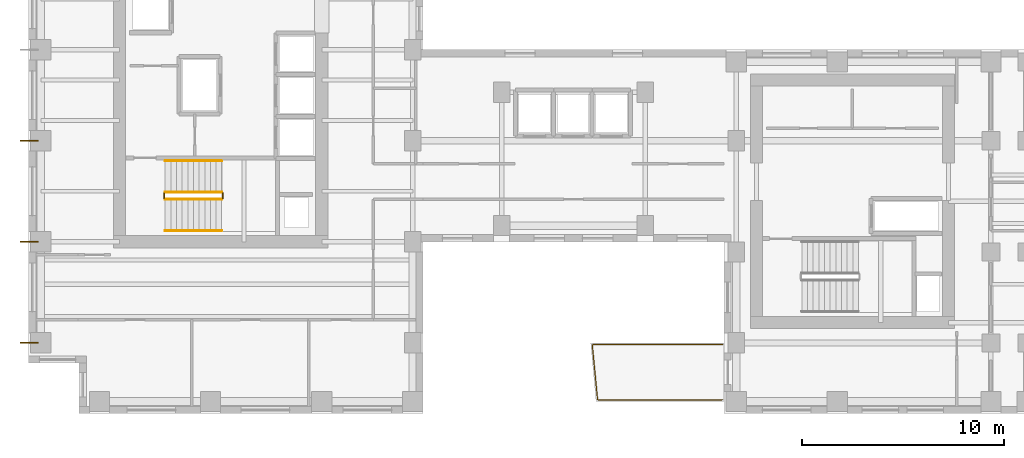
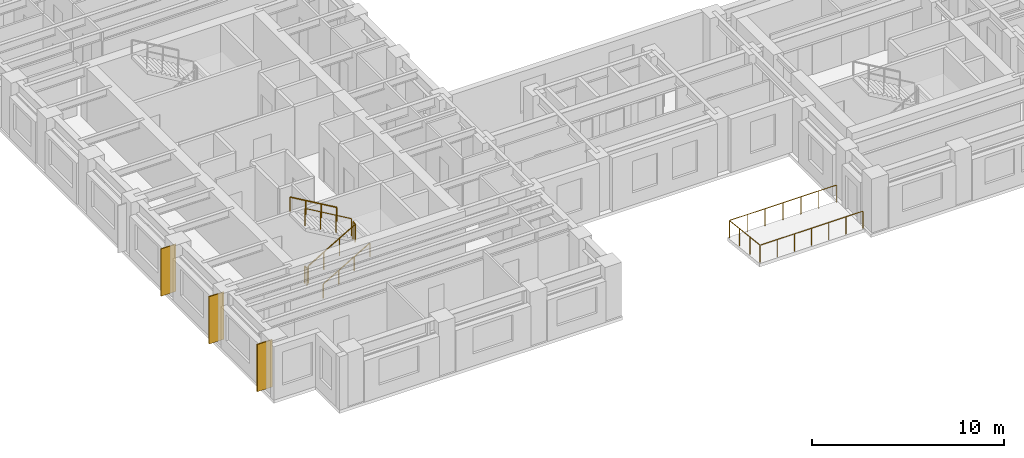
# One storey, part 9 of 11: 7 railings, 3 coverings.
"""IFC4 building model written with IfcOpenShell, lengths in metres."""

from ifc_helpers import new_model, si_unit, direction, frame, origin, origin_2d, place, context, subcontext, project, spatial, rectangle, circle, extrude, source, transform, mapped, material, layer, layer_set, type_object, element, save


model = new_model("IFC4")

# Units and contexts
model_context = context("Model", 3, precision=1e-05, world=origin(), true_north=direction((0.0, 1.0)))
body_context = subcontext(model_context, "Body", "Model", "MODEL_VIEW")
ifc_project = project(units=[si_unit("LENGTHUNIT", "METRE"), si_unit("AREAUNIT", "SQUARE_METRE"), si_unit("VOLUMEUNIT", "CUBIC_METRE"), si_unit("PLANEANGLEUNIT", "RADIAN"), si_unit("MASSUNIT", "GRAM", prefix="KILO")], contexts=[model_context])

# Site, building, storey
site_placement = place(None, origin())
site = spatial("IfcSite", under=ifc_project, at=site_placement, CompositionType="ELEMENT")
building_placement = place(site_placement, origin())
building = spatial("IfcBuilding", under=site, at=building_placement, Name="Kharzan Plaza Tower", CompositionType="ELEMENT")
storey_placement = place(building_placement, frame((0.0, 0.0, 193.5)))
storey = spatial("IfcBuildingStorey", under=building, at=storey_placement, Name="L52", CompositionType="ELEMENT", Elevation=193.5)

# Railings
ifc_material_1 = material(Name="Painted Galvanized Architectural Steel", Category="steel")
ifc_layer_1 = layer(ifc_material_1, 0.074951171875)
ifc_layer_set_1 = layer_set([ifc_layer_1], Name="Painted Galvanized Architectural Steel")
railing_type_1 = type_object("IfcRailingType", Name="RL-GUARD-1120", PredefinedType="BALUSTRADE", material=ifc_layer_set_1)
shared_shape_1 = source(origin(), body_context, "Body", "SweptSolid", [
    extrude(circle(Radius=0.02392578125, at=origin_2d()), frame((0.0, 0.0263671875, 1.09619140625), z_axis=(0.0, 1.0, 0.0), x_axis=(-1.0, 0.0, 0.0)), (0.0, 0.0, 1.0), 0.197021484375),
    extrude(circle(Radius=0.02099609375, at=origin_2d()), origin(), (0.0, 0.0, 1.0), 1.072021484375),
    extrude(circle(Radius=0.02099609375, at=origin_2d()), frame((0.0, 0.25, 0.0)), (0.0, 0.0, 1.0), 1.072021484375),
])
for number, where, name in (
    (1, (9.60009765625, 10.64990234375, 1.800048828125), "L52 ST-1 stair guard 2"),
    (2, (6.699951171875, 10.64990234375, 0.0), "L52 ST-1 stair guard 4"),
):
    element("IfcRailing", number, at=place(storey_placement, frame(where)), inside=storey, type_object=railing_type_1, Name=name, PredefinedType="BALUSTRADE", context=body_context, shape_type="MappedRepresentation", body=[
        mapped(shared_shape_1, transform((0.0, 0.0, 0.0), x_axis=(1.0, 0.0, 0.0), y_axis=(0.0, 1.0, 0.0), z_axis=(0.0, 0.0, 1.0))),
    ])

# Coverings
ifc_material_2 = material(Name="Honed Riyadh Limestone", Category="masonry")
ifc_layer_2 = layer(ifc_material_2, 0.06005859375)
ifc_layer_set_2 = layer_set([ifc_layer_2], Name="Honed Riyadh Limestone")
covering_type = type_object("IfcCoveringType", Name="COV-CLAD-STONE", PredefinedType="CLADDING", material=ifc_layer_set_2)
shared_shape_2 = source(origin(), body_context, "Body", "SweptSolid", [
    extrude(rectangle(XDim=0.06005859375, YDim=0.89990234375, at=origin_2d()), origin(), (0.0, 0.0, 1.0), 3.0),
])
for number, where, z_axis, x_axis, name in (
    (3, (0.02001953125, 13.5, 0.10009765625), (0.0, 0.0, 1.0), (0.0, 1.0, 0.0), "L52 Limestone Pier Rainscreen Cladding TCW-135"),
    (4, (0.02001953125, 3.5, 0.10009765625), (0.0, 0.0, 1.0), (0.0, 1.0, 0.0), "L52 Limestone Pier Rainscreen Cladding TCW-35"),
    (5, (0.02001953125, 8.5, 0.10009765625), (0.0, 0.0, 1.0), (0.0, 1.0, 0.0), "L52 Limestone Pier Rainscreen Cladding TCW-85"),
):
    element("IfcCovering", number, at=place(storey_placement, frame(where, z_axis=z_axis, x_axis=x_axis)), inside=storey, type_object=covering_type, Name=name, PredefinedType="CLADDING", context=body_context, shape_type="MappedRepresentation", body=[
        mapped(shared_shape_2, transform((0.0, 0.0, 0.0), x_axis=(1.0, 0.0, 0.0), y_axis=(0.0, 1.0, 0.0), z_axis=(0.0, 0.0, 1.0))),
    ])

# Railings
shared_shape_3 = source(origin(), body_context, "Body", "SweptSolid", [
    extrude(circle(Radius=0.02392578125, at=origin_2d()), frame((0.02294921875, 0.0, 1.109375), z_axis=(0.863360870873, 0.0, 0.504586966384), x_axis=(0.0, 1.0, 0.0)), (0.0, 0.0, 1.0), 3.190185546875),
    extrude(circle(Radius=0.02099609375, at=origin_2d()), origin(), (0.0, 0.0, 1.0), 1.072021484375),
    extrude(circle(Radius=0.02099609375, at=origin_2d()), frame((0.933349609375, 0.0, 0.54541015625)), (0.0, 0.0, 1.0), 1.072021484375),
    extrude(circle(Radius=0.02099609375, at=origin_2d()), frame((1.86669921875, 0.0, 1.091064453125)), (0.0, 0.0, 1.0), 1.072021484375),
    extrude(circle(Radius=0.02099609375, at=origin_2d()), frame((2.800048828125, 0.0, 1.636474609375)), (0.0, 0.0, 1.0), 1.072021484375),
])
railing_1_placement = place(storey_placement, frame((6.75, 10.60009765625, 0.16357421875)))
element("IfcRailing", 6, at=railing_1_placement, inside=storey, type_object=railing_type_1, Name="L52 ST-1 stair guard 1", PredefinedType="BALUSTRADE", context=body_context, shape_type="MappedRepresentation", body=[
    mapped(shared_shape_3, transform((0.0, 0.0, 0.0), x_axis=(1.0, 0.0, 0.0), y_axis=(0.0, 1.0, 0.0), z_axis=(0.0, 0.0, 1.0))),
])
shared_shape_4 = source(origin(), body_context, "Body", "SweptSolid", [
    extrude(circle(Radius=0.02392578125, at=origin_2d()), frame((-0.02294921875, 0.0, 1.109375), z_axis=(-0.863360870873, 0.0, 0.504586966384), x_axis=(0.0, -1.0, 0.0)), (0.0, 0.0, 1.0), 3.190185546875),
    extrude(circle(Radius=0.02099609375, at=origin_2d()), origin(), (0.0, 0.0, 1.0), 1.072021484375),
    extrude(circle(Radius=0.02099609375, at=origin_2d()), frame((-0.933349609375, 0.0, 0.54541015625)), (0.0, 0.0, 1.0), 1.072021484375),
    extrude(circle(Radius=0.02099609375, at=origin_2d()), frame((-1.86669921875, 0.0, 1.091064453125)), (0.0, 0.0, 1.0), 1.072021484375),
    extrude(circle(Radius=0.02099609375, at=origin_2d()), frame((-2.800048828125, 0.0, 1.636474609375)), (0.0, 0.0, 1.0), 1.072021484375),
])
railing_2_placement = place(storey_placement, frame((9.550048828125, 10.949951171875, 1.963623046875)))
element("IfcRailing", 7, at=railing_2_placement, inside=storey, type_object=railing_type_1, Name="L52 ST-1 stair guard 3", PredefinedType="BALUSTRADE", context=body_context, shape_type="MappedRepresentation", body=[
    mapped(shared_shape_4, transform((0.0, 0.0, 0.0), x_axis=(1.0, 0.0, 0.0), y_axis=(0.0, 1.0, 0.0), z_axis=(0.0, 0.0, 1.0))),
])
ifc_material_3 = material(Name="Brushed Stainless Steel", Category="steel")
ifc_layer_3 = layer(ifc_material_3, 0.050048828125)
ifc_layer_set_3 = layer_set([ifc_layer_3], Name="Brushed Stainless Steel")
railing_type_2 = type_object("IfcRailingType", Name="RL-STAIR-HR920", PredefinedType="HANDRAIL", material=ifc_layer_set_3)
shared_shape_5 = source(origin(), body_context, "Body", "SweptSolid", [
    extrude(circle(Radius=0.02392578125, at=origin_2d()), frame((0.02294921875, 0.0, 0.88916015625), z_axis=(0.863360870873, 0.0, 0.504586966384), x_axis=(0.0, 1.0, 0.0)), (0.0, 0.0, 1.0), 3.190185546875),
    extrude(circle(Radius=0.02099609375, at=origin_2d()), origin(), (0.0, 0.0, 1.0), 0.851806640625),
    extrude(circle(Radius=0.02099609375, at=origin_2d()), frame((0.933349609375, 0.0, 0.54541015625)), (0.0, 0.0, 1.0), 0.851806640625),
    extrude(circle(Radius=0.02099609375, at=origin_2d()), frame((1.86669921875, 0.0, 1.091064453125)), (0.0, 0.0, 1.0), 0.851806640625),
    extrude(circle(Radius=0.02099609375, at=origin_2d()), frame((2.800048828125, 0.0, 1.636474609375)), (0.0, 0.0, 1.0), 0.851806640625),
])
railing_3_placement = place(storey_placement, frame((6.75, 9.050048828125, 0.16357421875)))
element("IfcRailing", 8, at=railing_3_placement, inside=storey, type_object=railing_type_2, Name="L52 ST-1 stair handrail 1", PredefinedType="HANDRAIL", context=body_context, shape_type="MappedRepresentation", body=[
    mapped(shared_shape_5, transform((0.0, 0.0, 0.0), x_axis=(1.0, 0.0, 0.0), y_axis=(0.0, 1.0, 0.0), z_axis=(0.0, 0.0, 1.0))),
])
shared_shape_6 = source(origin(), body_context, "Body", "SweptSolid", [
    extrude(circle(Radius=0.02392578125, at=origin_2d()), frame((-0.02294921875, 0.0, 0.88916015625), z_axis=(-0.863360870873, 0.0, 0.504586966384), x_axis=(0.0, -1.0, 0.0)), (0.0, 0.0, 1.0), 3.190185546875),
    extrude(circle(Radius=0.02099609375, at=origin_2d()), origin(), (0.0, 0.0, 1.0), 0.851806640625),
    extrude(circle(Radius=0.02099609375, at=origin_2d()), frame((-0.933349609375, 0.0, 0.54541015625)), (0.0, 0.0, 1.0), 0.851806640625),
    extrude(circle(Radius=0.02099609375, at=origin_2d()), frame((-1.86669921875, 0.0, 1.091064453125)), (0.0, 0.0, 1.0), 0.851806640625),
    extrude(circle(Radius=0.02099609375, at=origin_2d()), frame((-2.800048828125, 0.0, 1.636474609375)), (0.0, 0.0, 1.0), 0.851806640625),
])
railing_4_placement = place(storey_placement, frame((9.550048828125, 12.5, 1.963623046875)))
element("IfcRailing", 9, at=railing_4_placement, inside=storey, type_object=railing_type_2, Name="L52 ST-1 stair handrail 2", PredefinedType="HANDRAIL", context=body_context, shape_type="MappedRepresentation", body=[
    mapped(shared_shape_6, transform((0.0, 0.0, 0.0), x_axis=(1.0, 0.0, 0.0), y_axis=(0.0, 1.0, 0.0), z_axis=(0.0, 0.0, 1.0))),
])
shared_shape_7 = source(origin(), body_context, "Body", "SweptSolid", [
    extrude(circle(Radius=0.02392578125, at=origin_2d()), frame((-0.0263671875, 0.0, 1.09619140625), z_axis=(-1.0, 0.0, 0.0), x_axis=(0.0, -1.0, 0.0)), (0.0, 0.0, 1.0), 6.123046875),
    extrude(circle(Radius=0.02392578125, at=origin_2d()), frame((-6.178466796875, 0.0263671875, 1.09619140625), z_axis=(-0.095964210763, 0.995384785022, 0.0), x_axis=(-0.995384785022, -0.095964210763, 0.0)), (0.0, 0.0, 1.0), 2.69970703125),
    extrude(circle(Radius=0.02392578125, at=origin_2d()), frame((-6.413818359375, 2.739990234375, 1.09619140625), z_axis=(1.0, 0.0, 0.0), x_axis=(0.0, 1.0, 0.0)), (0.0, 0.0, 1.0), 6.38720703125),
    extrude(circle(Radius=0.02099609375, at=origin_2d()), origin(), (0.0, 0.0, 1.0), 1.072021484375),
    extrude(circle(Radius=0.02099609375, at=origin_2d()), frame((-1.029296875, 0.0, 0.0)), (0.0, 0.0, 1.0), 1.072021484375),
    extrude(circle(Radius=0.02099609375, at=origin_2d()), frame((-2.05859375, 0.0, 0.0)), (0.0, 0.0, 1.0), 1.072021484375),
    extrude(circle(Radius=0.02099609375, at=origin_2d()), frame((-3.087890625, 0.0, 0.0)), (0.0, 0.0, 1.0), 1.072021484375),
    extrude(circle(Radius=0.02099609375, at=origin_2d()), frame((-4.117431640625, 0.0, 0.0)), (0.0, 0.0, 1.0), 1.072021484375),
    extrude(circle(Radius=0.02099609375, at=origin_2d()), frame((-5.146728515625, 0.0, 0.0)), (0.0, 0.0, 1.0), 1.072021484375),
    extrude(circle(Radius=0.02099609375, at=origin_2d()), frame((-6.176025390625, 0.0, 0.0)), (0.0, 0.0, 1.0), 1.072021484375),
    extrude(circle(Radius=0.02099609375, at=origin_2d()), frame((-6.26416015625, 0.913330078125, 0.0)), (0.0, 0.0, 1.0), 1.072021484375),
    extrude(circle(Radius=0.02099609375, at=origin_2d()), frame((-6.35205078125, 1.82666015625, 0.0)), (0.0, 0.0, 1.0), 1.072021484375),
    extrude(circle(Radius=0.02099609375, at=origin_2d()), frame((-6.440185546875, 2.739990234375, 0.0)), (0.0, 0.0, 1.0), 1.072021484375),
    extrude(circle(Radius=0.02099609375, at=origin_2d()), frame((-5.36669921875, 2.739990234375, 0.0)), (0.0, 0.0, 1.0), 1.072021484375),
    extrude(circle(Radius=0.02099609375, at=origin_2d()), frame((-4.29345703125, 2.739990234375, 0.0)), (0.0, 0.0, 1.0), 1.072021484375),
    extrude(circle(Radius=0.02099609375, at=origin_2d()), frame((-3.22021484375, 2.739990234375, 0.0)), (0.0, 0.0, 1.0), 1.072021484375),
    extrude(circle(Radius=0.02099609375, at=origin_2d()), frame((-2.146728515625, 2.739990234375, 0.0)), (0.0, 0.0, 1.0), 1.072021484375),
    extrude(circle(Radius=0.02099609375, at=origin_2d()), frame((-1.0732421875, 2.739990234375, 0.0)), (0.0, 0.0, 1.0), 1.072021484375),
    extrude(circle(Radius=0.02099609375, at=origin_2d()), frame((0.0, 2.739990234375, 0.0)), (0.0, 0.0, 1.0), 1.072021484375),
])
railing_5_placement = place(storey_placement, frame((34.320068359375, 0.679931640625, 0.0)))
element("IfcRailing", 10, at=railing_5_placement, inside=storey, type_object=railing_type_1, Name="L52 Cantilevered Sky-Terrace Tray Balustrade", PredefinedType="BALUSTRADE", context=body_context, shape_type="MappedRepresentation", body=[
    mapped(shared_shape_7, transform((0.0, 0.0, 0.0), x_axis=(1.0, 0.0, 0.0), y_axis=(0.0, 1.0, 0.0), z_axis=(0.0, 0.0, 1.0))),
])

save(model, "model.ifc")
